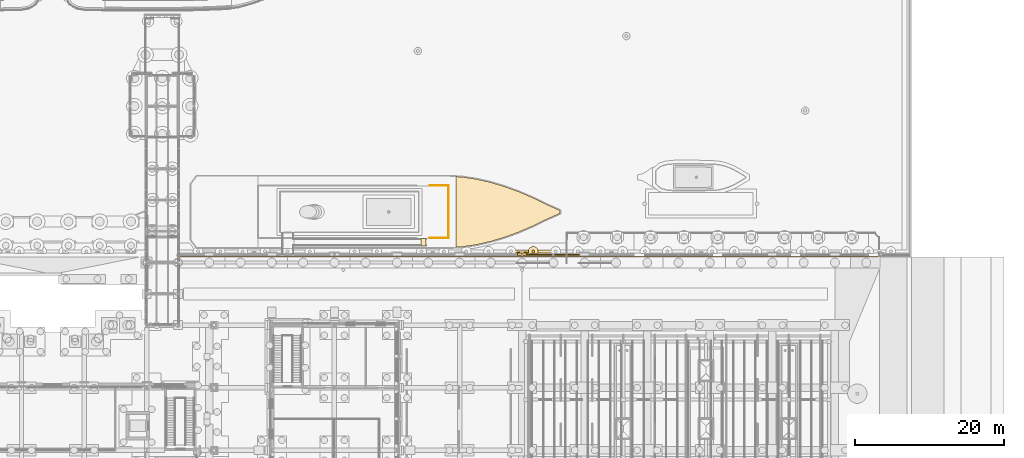
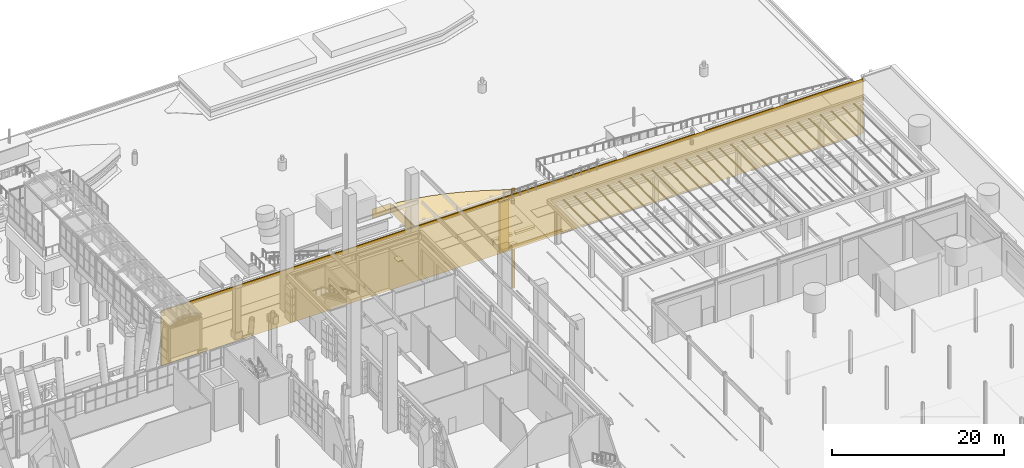
# One storey, part 199 of 222: 11 coverings.
"""IFC4 building model written with IfcOpenShell, lengths in metres."""

import ifcopenshell
import ifcopenshell.guid

model = None  # the IFC model being written
_history = None  # IfcOwnerHistory: only IFC2X3 demands one
_inside = {}  # id of a spatial element -> (the spatial element, [elements in it])
_under = {}  # id of a project, library or spatial element -> (it, [spatial elements below it])
_declared = {}  # id of a project -> (the project, [libraries it declares])
_typed = {}  # id of a type object -> (the type object, [elements of that type])
_made_of = {}  # id of a material, layer set ... -> (it, [elements and type objects made of it])


def new_model(schema):
    """Start an empty IFC model of exactly this schema.

    Asked for "IFC4X3", IfcOpenShell would pick the latest addendum, in which some entities
    have other attributes; the version numbers below select the first issue.
    IFC2X3 requires an IfcOwnerHistory on every rooted entity: one is made here for all.
    """
    global model, _history
    if schema == "IFC4X3":
        model = ifcopenshell.file(schema_version=(4, 3, 0, 0))
    else:
        model = ifcopenshell.file(schema=schema)
    _inside.clear()
    _under.clear()
    _declared.clear()
    _typed.clear()
    _made_of.clear()
    _history = None
    if model.schema == "IFC2X3":
        org = make("IfcOrganization", Name="unknown")
        user = make(
            "IfcPersonAndOrganization",
            ThePerson=make("IfcPerson", FamilyName="unknown"),
            TheOrganization=org,
        )
        app = make(
            "IfcApplication",
            ApplicationDeveloper=org,
            Version="unknown",
            ApplicationFullName="unknown",
            ApplicationIdentifier="unknown",
        )
        _history = make(
            "IfcOwnerHistory",
            OwningUser=user,
            OwningApplication=app,
            ChangeAction="ADDED",
            CreationDate=0,
        )
    return model


def make(cls, **values):
    """One entity of the class cls with the attributes given. An attribute that is None is left unset."""
    return model.create_entity(
        cls, **{name: value for name, value in values.items() if value is not None}
    )


def rooted(cls, **values):
    """An entity with a GlobalId (a new one), such as an element, a storey or a relation."""
    return make(cls, GlobalId=ifcopenshell.guid.new(), OwnerHistory=_history, **values)


def si_unit(unit_type, name, prefix=None):
    """IfcSIUnit, for example si_unit("LENGTHUNIT", "METRE", prefix="MILLI")."""
    return make("IfcSIUnit", UnitType=unit_type, Prefix=prefix, Name=name)


def assignment(units):
    """IfcUnitAssignment: the units of a project."""
    return None if units is None else make("IfcUnitAssignment", Units=units)


def point(xyz):
    """IfcCartesianPoint."""
    return None if xyz is None else make("IfcCartesianPoint", Coordinates=xyz)


def direction(xyz):
    """IfcDirection."""
    return None if xyz is None else make("IfcDirection", DirectionRatios=xyz)


def frame(location, z_axis=None, x_axis=None):
    """IfcAxis2Placement3D, a coordinate frame: its origin and axes. An axis left out is left unset."""
    return make(
        "IfcAxis2Placement3D",
        Location=point(location),
        Axis=direction(z_axis),
        RefDirection=direction(x_axis),
    )


def frame_2d(location, x_axis=None):
    """IfcAxis2Placement2D, a coordinate frame in the plane: its origin and x axis."""
    return make(
        "IfcAxis2Placement2D", Location=point(location), RefDirection=direction(x_axis)
    )


def origin():
    """The frame at (0, 0, 0) with its axes left unset."""
    return frame((0.0, 0.0, 0.0))


def origin_2d():
    """The frame at (0, 0) in the plane with its x axis left unset."""
    return frame_2d((0.0, 0.0))


def place(relative_to, where):
    """IfcLocalPlacement: puts the frame where relative to a parent placement (None: the world)."""
    return make(
        "IfcLocalPlacement", PlacementRelTo=relative_to, RelativePlacement=where
    )


def context(
    kind, dimensions, precision=None, world=None, true_north=None, identifier=None
):
    """IfcGeometricRepresentationContext, for example the 3D "Model" context."""
    return make(
        "IfcGeometricRepresentationContext",
        ContextIdentifier=identifier,
        ContextType=kind,
        CoordinateSpaceDimension=dimensions,
        Precision=precision,
        WorldCoordinateSystem=world,
        TrueNorth=true_north,
    )


def subcontext(parent, identifier, kind, view, scale=None):
    """IfcGeometricRepresentationSubContext, for example "Body" below "Model"."""
    return make(
        "IfcGeometricRepresentationSubContext",
        ContextIdentifier=identifier,
        ContextType=kind,
        ParentContext=parent,
        TargetScale=scale,
        TargetView=view,
    )


def project(units=None, contexts=None):
    """IfcProject with its units and contexts."""
    return rooted(
        "IfcProject",
        Name="project",
        RepresentationContexts=contexts,
        UnitsInContext=assignment(units),
    )


def spatial(cls, under=None, at=None, **own):
    """A site, building, storey or space (cls), placed at a placement, below another one or the project."""
    s = rooted(cls, ObjectPlacement=at, **own)
    if under is not None:
        _under.setdefault(under.id(), (under, []))[1].append(s)
    return s


def polyline(points):
    """IfcPolyline through the points."""
    return make("IfcPolyline", Points=[point(p) for p in points])


def profile(cls, at=None, kind="AREA", **sizes):
    """A parametric profile (cls). Its sizes go by their IFC names, for example OverallWidth=200.0."""
    return make(cls, ProfileType=kind, Position=at, **sizes)


def rectangle(**sizes):
    """IfcRectangleProfileDef."""
    return profile("IfcRectangleProfileDef", **sizes)


def circle(**sizes):
    """IfcCircleProfileDef."""
    return profile("IfcCircleProfileDef", **sizes)


def outline(outer, holes=None, kind="AREA"):
    """IfcArbitraryClosedProfileDef: a profile drawn as a closed curve; with holes, ...WithVoids."""
    if holes is None:
        return make("IfcArbitraryClosedProfileDef", ProfileType=kind, OuterCurve=outer)
    return make(
        "IfcArbitraryProfileDefWithVoids",
        ProfileType=kind,
        OuterCurve=outer,
        InnerCurves=holes,
    )


def extrude(swept, where, along, depth):
    """IfcExtrudedAreaSolid: the profile swept, set in the frame where, extruded along a direction by depth."""
    return make(
        "IfcExtrudedAreaSolid",
        SweptArea=swept,
        Position=where,
        ExtrudedDirection=direction(along),
        Depth=depth,
    )


def shape(context_of_items, identifier, shape_type, items):
    """IfcShapeRepresentation: the items that make up one representation, for example the "Body"."""
    return make(
        "IfcShapeRepresentation",
        ContextOfItems=context_of_items,
        RepresentationIdentifier=identifier,
        RepresentationType=shape_type,
        Items=items,
    )


def material(Name=None, Category=None):
    """IfcMaterial."""
    return make("IfcMaterial", Name=Name, Category=Category)


def layer(
    of_material, thickness, ventilated=None, Name=None, Category=None, Priority=None
):
    """IfcMaterialLayer: one layer of a wall or slab, of a material (None: an air gap)."""
    return make(
        "IfcMaterialLayer",
        Material=of_material,
        LayerThickness=thickness,
        IsVentilated=ventilated,
        Name=Name,
        Category=Category,
        Priority=Priority,
    )


def layer_set(layers, Name=None):
    """IfcMaterialLayerSet."""
    return make("IfcMaterialLayerSet", MaterialLayers=layers, LayerSetName=Name)


def made_of(thing, what):
    """Note that an element or type object is made of a material, layer set ...; save() writes the relation."""
    if what is not None:
        _made_of.setdefault(what.id(), (what, []))[1].append(thing)
    return thing


def type_object(cls, material=None, **own):
    """A type object (cls), such as IfcWallType, which elements share."""
    return made_of(rooted(cls, **own), material)


def element(
    cls,
    number,
    at=None,
    inside=None,
    cuts=None,
    type_object=None,
    material=None,
    context=None,
    identifier="Body",
    shape_type=None,
    held_by="IfcProductDefinitionShape",
    body=None,
    shapes=None,
    **own,
):
    """One element of the class cls, such as IfcWall. Its Tag is "e" and its number.

    at: its placement. inside: the storey or other place that contains it. cuts: it is an
    opening in that element (IfcRelVoidsElement). A single representation is given by context,
    identifier, shape_type and body (its items); several are given by shapes. held_by: the class
    of the entity that holds the representations. save() writes the other relations.
    """
    e = rooted(cls, Tag="e%d" % number, ObjectPlacement=at, **own)
    if body is not None:
        shapes = [shape(context, identifier, shape_type, body)]
    if shapes is not None:
        e.Representation = make(held_by, Representations=shapes)
    if inside is not None:
        _inside.setdefault(inside.id(), (inside, []))[1].append(e)
    if cuts is not None:
        rooted(
            "IfcRelVoidsElement", RelatingBuildingElement=cuts, RelatedOpeningElement=e
        )
    if type_object is not None:
        _typed.setdefault(type_object.id(), (type_object, []))[1].append(e)
    return made_of(e, material)


def aggregate(whole, parts):
    """IfcRelAggregates: a whole, such as a stair, and the parts it consists of."""
    return rooted("IfcRelAggregates", RelatingObject=whole, RelatedObjects=parts)


def save(model, path):
    """Write the relations noted so far, then the file.

    IfcRelAggregates (storeys below a building ...), IfcRelContainedInSpatialStructure (elements
    in a storey), IfcRelDefinesByType, IfcRelAssociatesMaterial and IfcRelDeclares: one each for
    every whole, place, type object, material and project.
    """
    for whole, parts in _under.values():
        aggregate(whole, parts)
    for where, things in _inside.values():
        rooted(
            "IfcRelContainedInSpatialStructure",
            RelatedElements=things,
            RelatingStructure=where,
        )
    for kind, things in _typed.values():
        rooted("IfcRelDefinesByType", RelatedObjects=things, RelatingType=kind)
    for what, things in _made_of.values():
        rooted("IfcRelAssociatesMaterial", RelatedObjects=things, RelatingMaterial=what)
    for by, libraries in _declared.values():
        rooted("IfcRelDeclares", RelatingContext=by, RelatedDefinitions=libraries)
    model.write(path)


model = new_model("IFC4")

# Units and contexts
model_context = context("Model", 3, precision=1e-05, world=origin(), true_north=direction((0.0, 1.0)))
body_context = subcontext(model_context, "Body", "Model", "MODEL_VIEW")
ifc_project = project(units=[si_unit("LENGTHUNIT", "METRE"), si_unit("AREAUNIT", "SQUARE_METRE"), si_unit("VOLUMEUNIT", "CUBIC_METRE"), si_unit("PLANEANGLEUNIT", "RADIAN"), si_unit("MASSUNIT", "GRAM", prefix="KILO")], contexts=[model_context])

# Site, building, storey
site_placement = place(None, origin())
site = spatial("IfcSite", under=ifc_project, at=site_placement, CompositionType="ELEMENT")
building_placement = place(site_placement, origin())
building = spatial("IfcBuilding", under=site, at=building_placement, Name="Sava Quay Ferry Terminal", CompositionType="ELEMENT")
storey_placement = place(building_placement, origin())
storey = spatial("IfcBuildingStorey", under=building, at=storey_placement, Name="L00", CompositionType="ELEMENT", Elevation=0.0)

# Coverings
ifc_material_1 = material(Name="Steel S355", Category="steel")
ifc_layer_1 = layer(ifc_material_1, 0.1201171875)
ifc_layer_set_1 = layer_set([ifc_layer_1], Name="Steel S355")
covering_type_1 = type_object("IfcCoveringType", Name="Crew gangway plate 120", PredefinedType="FLOORING", material=ifc_layer_set_1)
covering_1_placement = place(storey_placement, frame((112.780029296875, 120.300048828125, -5.60009765625), z_axis=(0.0, 0.0, 1.0), x_axis=(1.0, 0.0, 0.0)))
element("IfcCovering", 1, at=covering_1_placement, inside=storey, type_object=covering_type_1, Name="Crew gangway", PredefinedType="FLOORING", context=body_context, shape_type="SweptSolid", body=[
    extrude(rectangle(XDim=0.699951171875, YDim=1.0, at=origin_2d()), origin(), (0.0, 0.0, 1.0), 0.1201171875),
])
ifc_material_2 = material(Name="Greenheart timber", Category="wood")
ifc_layer_2 = layer(ifc_material_2, 0.14990234375)
ifc_layer_set_2 = layer_set([ifc_layer_2], Name="Greenheart timber")
covering_type_2 = type_object("IfcCoveringType", Name="Fender rubbing strip 150", PredefinedType="CLADDING", material=ifc_layer_set_2)
covering_2_placement = place(storey_placement, frame((0.0, 0.0, -7.89990234375)))
element("IfcCovering", 2, at=covering_2_placement, inside=storey, type_object=covering_type_2, Name="Fender rubbing strip", PredefinedType="CLADDING", context=body_context, shape_type="SweptSolid", body=[
    extrude(outline(polyline([(126.610107421875, 118.550048828125), (133.7900390625, 118.550048828125), (133.7900390625, 118.699951171875), (126.610107421875, 118.699951171875), (126.610107421875, 118.550048828125)])), origin(), (0.0, 0.0, 1.0), 0.2998046875),
])
ifc_material_3 = material(Name="Steel S355", Category="steel")
ifc_layer_3 = layer(ifc_material_3, 1.0)
ifc_layer_set_3 = layer_set([ifc_layer_3], Name="Steel S355")
covering_type_3 = type_object("IfcCoveringType", Name="Ferry forecastle and poop 1000", PredefinedType="CLADDING", material=ifc_layer_set_3)
covering_3_placement = place(storey_placement, frame((0.0, 0.0, -5.60009765625)))
element("IfcCovering", 3, at=covering_3_placement, inside=storey, type_object=covering_type_3, Name="Ferry forecastle", PredefinedType="CLADDING", context=body_context, shape_type="SweptSolid", body=[
    extrude(outline(polyline([(117.97509765625, 129.0859375), (117.10009765625, 129.138916015625), (117.10009765625, 119.660888671875), (117.97509765625, 119.714111328125), (119.85009765625, 119.99609375), (121.72509765625, 120.4208984375), (123.60009765625, 120.97802734375), (125.47509765625, 121.659912109375), (127.35009765625, 122.4599609375), (129.22509765625, 123.3740234375), (131.10009765625, 124.2080078125), (131.10009765625, 124.592041015625), (129.22509765625, 125.426025390625), (127.35009765625, 126.340087890625), (125.47509765625, 127.139892578125), (123.60009765625, 127.822021484375), (121.72509765625, 128.37890625), (119.85009765625, 128.803955078125), (117.97509765625, 129.0859375)])), origin(), (0.0, 0.0, 1.0), 1.0),
])
ifc_material_4 = material(Name="Glass", Category="glass")
ifc_layer_4 = layer(ifc_material_4, 0.06005859375)
ifc_layer_set_4 = layer_set([ifc_layer_4], Name="Glass")
covering_type_4 = type_object("IfcCoveringType", Name="Ferry window band 60", PredefinedType="CLADDING", material=ifc_layer_set_4)
covering_4_placement = place(storey_placement, frame((0.0, 0.0, -4.699951171875)))
element("IfcCovering", 4, at=covering_4_placement, inside=storey, type_object=covering_type_4, Name="Ferry window band", PredefinedType="CLADDING", context=body_context, shape_type="SweptSolid", body=[
    extrude(outline(polyline([(116.159912109375, 120.845947265625), (116.159912109375, 127.9541015625), (116.06201171875, 127.9599609375), (113.6298828125, 127.9599609375), (113.6298828125, 127.89990234375), (116.06103515625, 127.89990234375), (116.10009765625, 127.89794921875), (116.10009765625, 120.902099609375), (116.06103515625, 120.89990234375), (113.6298828125, 120.89990234375), (113.6298828125, 120.840087890625), (116.06201171875, 120.840087890625), (116.159912109375, 120.845947265625)])), origin(), (0.0, 0.0, 1.0), 1.300048828125),
])
ifc_material_5 = material(Name="Timber", Category="wood")
ifc_layer_5 = layer(ifc_material_5, 0.39990234375)
ifc_layer_set_5 = layer_set([ifc_layer_5], Name="Timber")
covering_type_5 = type_object("IfcCoveringType", Name="Quay fender pile 400", PredefinedType="CLADDING", material=ifc_layer_set_5)
covering_5_placement = place(storey_placement, frame((127.5, 119.10009765625, 0.0), z_axis=(0.0, 0.0, -1.0), x_axis=(1.0, 0.0, 0.0)))
element("IfcCovering", 5, at=covering_5_placement, inside=storey, type_object=covering_type_5, Name="Quay fender pile", PredefinedType="CLADDING", context=body_context, shape_type="SweptSolid", body=[
    extrude(circle(Radius=0.199951171875, at=origin_2d()), origin(), (0.0, 0.0, 1.0), 14.0),
])
ifc_material_6 = material(Name="Timber", Category="wood")
ifc_layer_6 = layer(ifc_material_6, 0.39990234375)
ifc_layer_set_6 = layer_set([ifc_layer_6], Name="Timber")
covering_type_6 = type_object("IfcCoveringType", Name="Quay fender waling", PredefinedType="MOLDING", material=ifc_layer_set_6)
covering_6_placement = place(storey_placement, frame((0.0, 0.0, -6.5)))
element("IfcCovering", 6, at=covering_6_placement, inside=storey, type_object=covering_type_6, Name="Quay fender waling", PredefinedType="MOLDING", context=body_context, shape_type="SweptSolid", body=[
    extrude(outline(polyline([(127.300048828125, 118.89990234375), (127.300048828125, 119.300048828125), (124.699951171875, 119.300048828125), (124.699951171875, 118.89990234375), (127.300048828125, 118.89990234375)])), origin(), (0.0, 0.0, 1.0), 0.300048828125),
])
covering_7_placement = place(storey_placement, frame((0.0, 0.0, -6.5)))
element("IfcCovering", 7, at=covering_7_placement, inside=storey, type_object=covering_type_6, Name="Quay fender waling", PredefinedType="MOLDING", context=body_context, shape_type="SweptSolid", body=[
    extrude(outline(polyline([(130.300048828125, 118.89990234375), (130.300048828125, 119.300048828125), (127.699951171875, 119.300048828125), (127.699951171875, 118.89990234375), (130.300048828125, 118.89990234375)])), origin(), (0.0, 0.0, 1.0), 0.300048828125),
])
ifc_material_7 = material(Name="Limestone Mutalj", Category="masonry")
ifc_layer_7 = layer(ifc_material_7, 0.449951171875)
ifc_layer_set_7 = layer_set([ifc_layer_7], Name="Limestone Mutalj")
covering_type_7 = type_object("IfcCoveringType", Name="Quay pilaster cap 1400", PredefinedType="MOLDING", material=ifc_layer_set_7)
covering_8_placement = place(storey_placement, frame((0.0, 0.0, -0.949951171875)))
element("IfcCovering", 8, at=covering_8_placement, inside=storey, type_object=covering_type_7, Name="Quay pilaster cap", PredefinedType="MOLDING", context=body_context, shape_type="SweptSolid", body=[
    extrude(outline(polyline([(126.699951171875, 118.550048828125), (126.699951171875, 119.0), (125.300048828125, 119.0), (125.300048828125, 118.550048828125), (126.699951171875, 118.550048828125)])), origin(), (0.0, 0.0, 1.0), 0.14990234375),
])
ifc_material_8 = material(Name="Limestone Mutalj", Category="masonry")
ifc_layer_8 = layer(ifc_material_8, 0.14990234375)
ifc_layer_set_8 = layer_set([ifc_layer_8], Name="Limestone Mutalj")
covering_type_8 = type_object("IfcCoveringType", Name="Quay wall facing 150", PredefinedType="CLADDING", material=ifc_layer_set_8)
covering_9_placement = place(storey_placement, frame((0.0, 0.0, -8.0)))
element("IfcCovering", 9, at=covering_9_placement, inside=storey, type_object=covering_type_8, Name="Quay wall facing", PredefinedType="CLADDING", context=body_context, shape_type="SweptSolid", body=[
    extrude(outline(polyline([(79.800048828125, 118.5), (79.800048828125, 118.35009765625), (174.0, 118.35009765625), (174.14990234375, 118.5), (174.0, 118.5), (174.0, 118.39990234375), (172.5, 118.39990234375), (172.5, 118.5), (163.5, 118.5), (163.5, 118.39990234375), (162.0, 118.39990234375), (162.0, 118.5), (153.0, 118.5), (153.0, 118.39990234375), (151.5, 118.39990234375), (151.5, 118.5), (142.5, 118.5), (142.5, 118.39990234375), (141.0, 118.39990234375), (141.0, 118.5), (79.800048828125, 118.5)])), origin(), (0.0, 0.0, 1.0), 7.800048828125),
])
ifc_material_9 = material(Name="Limestone Mutalj", Category="masonry")
ifc_layer_9 = layer(ifc_material_9, 0.35009765625)
ifc_layer_set_9 = layer_set([ifc_layer_9], Name="Limestone Mutalj")
covering_type_9 = type_object("IfcCoveringType", Name="Quay wall pilaster 1200", PredefinedType="CLADDING", material=ifc_layer_set_9)
covering_10_placement = place(storey_placement, frame((0.0, 0.0, -8.0)))
element("IfcCovering", 10, at=covering_10_placement, inside=storey, type_object=covering_type_9, Name="Quay wall pilaster", PredefinedType="CLADDING", context=body_context, shape_type="SweptSolid", body=[
    extrude(outline(polyline([(126.60009765625, 118.550048828125), (126.60009765625, 118.89990234375), (125.39990234375, 118.89990234375), (125.39990234375, 118.550048828125), (126.60009765625, 118.550048828125)])), origin(), (0.0, 0.0, 1.0), 7.050048828125),
])
ifc_material_10 = material(Name="Water")
ifc_layer_10 = layer(ifc_material_10, 0.0400390625)
ifc_layer_set_10 = layer_set([ifc_layer_10], Name="Water")
covering_type_10 = type_object("IfcCoveringType", Name="River foam collar", PredefinedType="CLADDING", material=ifc_layer_set_10)
covering_11_placement = place(storey_placement, frame((0.0, 0.0, -8.0)))
element("IfcCovering", 11, at=covering_11_placement, inside=storey, type_object=covering_type_10, Name="River foam collar", PredefinedType="CLADDING", context=body_context, shape_type="SweptSolid", body=[
    extrude(outline(polyline([(127.626953125, 119.739990234375), (127.5, 119.751953125), (127.373046875, 119.739990234375), (127.25, 119.702880859375), (127.137939453125, 119.64208984375), (127.0390625, 119.56103515625), (126.9580078125, 119.4619140625), (126.89697265625, 119.35009765625), (126.860107421875, 119.22705078125), (126.847900390625, 119.10009765625), (126.860107421875, 118.972900390625), (126.89794921875, 118.85009765625), (128.10205078125, 118.85009765625), (128.139892578125, 118.972900390625), (128.152099609375, 119.10009765625), (128.139892578125, 119.22705078125), (128.10302734375, 119.35009765625), (128.0419921875, 119.4619140625), (127.9609375, 119.56103515625), (127.862060546875, 119.64208984375), (127.75, 119.702880859375), (127.626953125, 119.739990234375)]), holes=[polyline([(127.666015625, 119.2109375), (127.68505859375, 119.177001953125), (127.696044921875, 119.138916015625), (127.699951171875, 119.10009765625), (127.696044921875, 119.06103515625), (127.68505859375, 119.02294921875), (127.666015625, 118.989013671875), (127.64111328125, 118.958984375), (127.611083984375, 118.93408203125), (127.576904296875, 118.9150390625), (127.5390625, 118.904052734375), (127.5, 118.89990234375), (127.4609375, 118.904052734375), (127.423095703125, 118.9150390625), (127.388916015625, 118.93408203125), (127.35888671875, 118.958984375), (127.333984375, 118.989013671875), (127.31494140625, 119.02294921875), (127.303955078125, 119.06103515625), (127.300048828125, 119.10009765625), (127.303955078125, 119.138916015625), (127.31494140625, 119.177001953125), (127.333984375, 119.2109375), (127.35888671875, 119.240966796875), (127.388916015625, 119.26611328125), (127.423095703125, 119.284912109375), (127.4609375, 119.2958984375), (127.5, 119.300048828125), (127.5390625, 119.2958984375), (127.576904296875, 119.284912109375), (127.611083984375, 119.26611328125), (127.64111328125, 119.240966796875), (127.666015625, 119.2109375)])]), origin(), (0.0, 0.0, 1.0), 0.0400390625),
])

save(model, "model.ifc")
